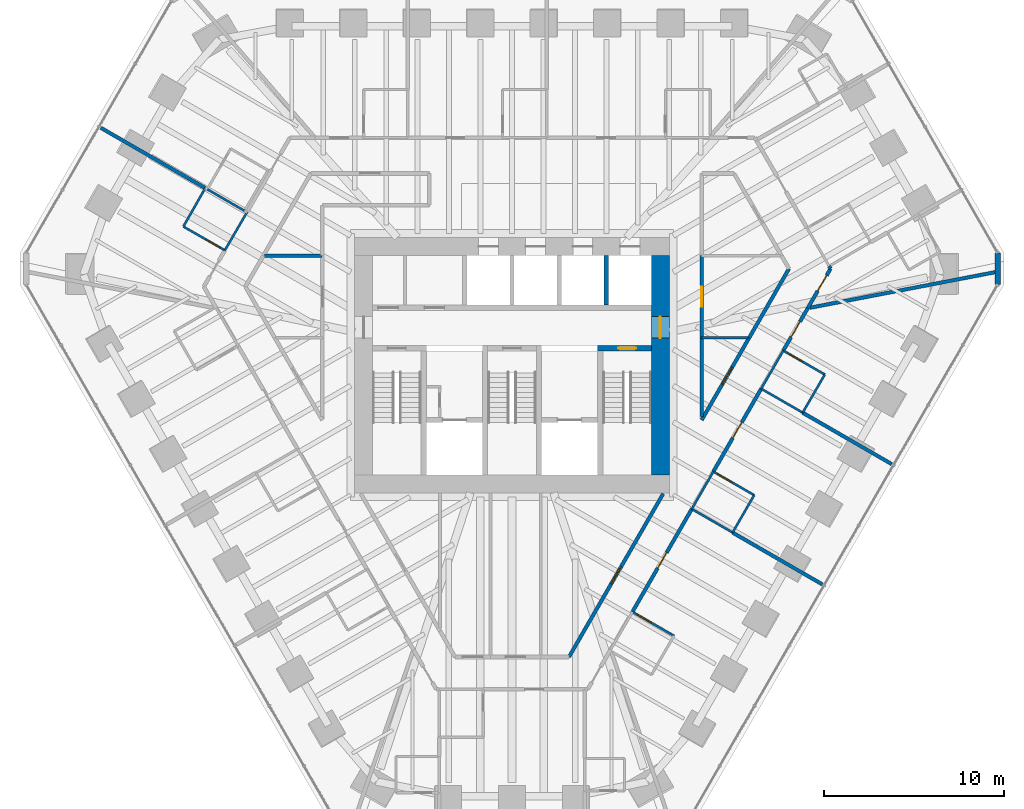
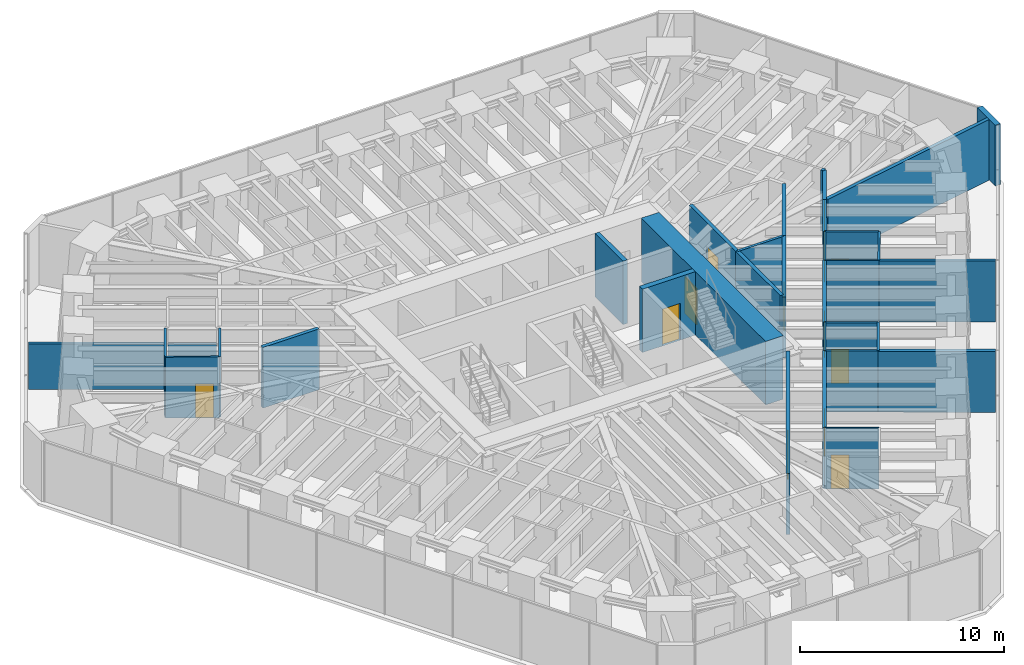
# One storey, part 13 of 16: 33 walls, 13 doors, 13 openings.
"""IFC4 building model written with IfcOpenShell, lengths in metres."""

from ifc_helpers import new_model, si_unit, direction, frame, frame_2d, origin, place, context, subcontext, project, spatial, rectangle, extrude, material, layer, layer_set, type_object, element, fill, save


model = new_model("IFC4")

# Units and contexts
model_context = context("Model", 3, precision=1e-05, world=origin(), true_north=direction((0.0, 1.0)))
body_context = subcontext(model_context, "Body", "Model", "MODEL_VIEW")
ifc_project = project(units=[si_unit("LENGTHUNIT", "METRE"), si_unit("AREAUNIT", "SQUARE_METRE"), si_unit("VOLUMEUNIT", "CUBIC_METRE"), si_unit("PLANEANGLEUNIT", "RADIAN"), si_unit("MASSUNIT", "GRAM", prefix="KILO")], contexts=[model_context])

# Site, building, storey
site_placement = place(None, origin())
site = spatial("IfcSite", under=ifc_project, at=site_placement, CompositionType="ELEMENT")
building_placement = place(site_placement, origin())
building = spatial("IfcBuilding", under=site, at=building_placement, Name="Sandreach Pilgrim Tower", CompositionType="ELEMENT")
storey_placement = place(building_placement, frame((0.0, 0.0, 247.800048828125)))
storey = spatial("IfcBuildingStorey", under=building, at=storey_placement, Name="L62", CompositionType="ELEMENT", Elevation=247.800048828125)

# Wall
ifc_material_1 = material(Name="Gypsum board on steel studs", Category="steel")
ifc_layer_1 = layer(ifc_material_1, 0.14990234375)
ifc_layer_set_1 = layer_set([ifc_layer_1], Name="Back of house wall 150")
wall_type_1 = type_object("IfcWallType", Name="Back of house wall 150", PredefinedType="PARTITIONING", material=ifc_layer_set_1)
wall_1_placement = place(storey_placement, frame((10.550048828125, 1.52001953125, 0.0), z_axis=(0.0, 0.0, 1.0), x_axis=(1.0, 0.0, 0.0)))
element("IfcWall", 1, at=wall_1_placement, inside=storey, type_object=wall_type_1, Name="Back of house wall L62-101", PredefinedType="PARTITIONING", context=body_context, shape_type="SweptSolid", body=[
    extrude(rectangle(XDim=2.5849609375, YDim=0.14990234375, at=frame_2d((1.29248046875, 0.0))), origin(), (0.0, 0.0, 1.0), 3.639892578125),
])

# Wall, opening, door
ifc_material_2 = material(Name="Moisture-resistant gypsum board on steel studs", Category="steel")
ifc_layer_2 = layer(ifc_material_2, 0.1201171875)
ifc_layer_set_2 = layer_set([ifc_layer_2], Name="Bathroom partition 120")
wall_type_2 = type_object("IfcWallType", Name="Bathroom partition 120", PredefinedType="PARTITIONING", material=ifc_layer_set_2)
wall_2_placement = place(storey_placement, frame((-18.280029296875, 7.7099609375, 0.0), z_axis=(0.0, 0.0, 1.0), x_axis=(0.868277022428, -0.496079643125, 0.0)))
wall_2 = element("IfcWall", 2, at=wall_2_placement, inside=storey, type_object=wall_type_2, Name="Bathroom partition L62-005", PredefinedType="PARTITIONING", context=body_context, shape_type="SweptSolid", body=[
    extrude(rectangle(XDim=2.660400390625, YDim=0.1201171875, at=frame_2d((1.330078125, 0.0))), origin(), (0.0, 0.0, 1.0), 3.639892578125),
])
opening_1_placement = place(wall_2_placement, frame((1.46044921875, 0.0, 0.0)))
opening_1 = element("IfcOpeningElement", 3, at=opening_1_placement, cuts=wall_2, Name="Opening D09-16B", PredefinedType="OPENING", context=body_context, shape_type="SweptSolid", body=[
    extrude(rectangle(XDim=0.89990234375, YDim=2.030029296875, at=frame_2d((0.449951171875, 1.01513671875))), frame((0.0, 0.06005859375, 0.0), z_axis=(0.0, -1.0, 0.0), x_axis=(1.0, 0.0, 0.0)), (0.0, 0.0, 1.0), 0.1201171875),
])
ifc_material_3 = material(Name="Timber door, steel frame", Category="steel")
door_type_1 = type_object("IfcDoorType", Name="Bathroom door", OperationType="SINGLE_SWING_LEFT", PredefinedType="DOOR", material=ifc_material_3)
door_1_placement = place(opening_1_placement, origin())
door_1 = element("IfcDoor", 4, at=door_1_placement, inside=storey, type_object=door_type_1, Name="Door 6216B", OperationType="SINGLE_SWING_RIGHT", OverallHeight=2.030029296875, OverallWidth=0.89990234375, PredefinedType="DOOR", context=body_context, shape_type="SweptSolid", body=[
    extrude(rectangle(XDim=0.89990234375, YDim=2.030029296875, at=frame_2d((0.449951171875, 1.01513671875))), frame((0.0, 0.02490234375, 0.0), z_axis=(0.0, -1.0, 0.0), x_axis=(1.0, 0.0, 0.0)), (0.0, 0.0, 1.0), 0.050048828125),
])
fill(opening_1, door_1)

# Walls
wall_3_placement = place(storey_placement, frame((-17.06005859375, 9.85009765625, 0.0), z_axis=(0.0, 0.0, 1.0), x_axis=(-0.495231468673, -0.868761067518, 0.0)))
element("IfcWall", 5, at=wall_3_placement, inside=storey, type_object=wall_type_2, Name="Bathroom partition L62-009", PredefinedType="PARTITIONING", context=body_context, shape_type="SweptSolid", body=[
    extrude(rectangle(XDim=2.46337890625, YDim=0.1201171875, at=frame_2d((1.231689453125, 0.0))), origin(), (0.0, 0.0, 1.0), 3.639892578125),
])
wall_4_placement = place(storey_placement, frame((-16.95166015625, 9.787109375, 0.0), z_axis=(0.0, 0.0, 1.0), x_axis=(0.865015303714, -0.501745477648, 0.0)))
element("IfcWall", 6, at=wall_4_placement, inside=storey, type_object=wall_type_2, Name="Bathroom partition L62-011", PredefinedType="PARTITIONING", context=body_context, shape_type="SweptSolid", body=[
    extrude(rectangle(XDim=2.4013671875, YDim=0.1201171875, at=frame_2d((1.20068359375, 0.0))), origin(), (0.0, 0.0, 1.0), 2.7255859375),
])
wall_5_placement = place(storey_placement, frame((-14.739990234375, 8.510009765625, 0.0), z_axis=(0.0, 0.0, 1.0), x_axis=(-0.501813488763, -0.864975850817, 0.0)))
element("IfcWall", 7, at=wall_5_placement, inside=storey, type_object=wall_type_2, Name="Bathroom partition L62-021", PredefinedType="PARTITIONING", context=body_context, shape_type="SweptSolid", body=[
    extrude(rectangle(XDim=2.451171875, YDim=0.1201171875, at=frame_2d((1.2255859375, 0.0))), origin(), (0.0, 0.0, 1.0), 3.639892578125),
])

# Wall, opening, door
wall_6_placement = place(storey_placement, frame((9.010009765625, -15.050048828125, 0.0), z_axis=(0.0, 0.0, 1.0), x_axis=(-0.866615255992, 0.498976951453, 0.0)))
wall_6 = element("IfcWall", 8, at=wall_6_placement, inside=storey, type_object=wall_type_2, Name="Bathroom partition L62-096", PredefinedType="PARTITIONING", context=body_context, shape_type="SweptSolid", body=[
    extrude(rectangle(XDim=2.66552734375, YDim=0.1201171875, at=frame_2d((1.332763671875, 0.0))), origin(), (0.0, 0.0, 1.0), 3.639892578125),
])
opening_2_placement = place(wall_6_placement, frame((1.465576171875, 0.0, 0.0)))
opening_2 = element("IfcOpeningElement", 9, at=opening_2_placement, cuts=wall_6, Name="Opening D09-09B", PredefinedType="OPENING", context=body_context, shape_type="SweptSolid", body=[
    extrude(rectangle(XDim=0.89990234375, YDim=2.030029296875, at=frame_2d((0.449951171875, 1.01513671875))), frame((0.0, 0.06005859375, 0.0), z_axis=(0.0, -1.0, 0.0), x_axis=(1.0, 0.0, 0.0)), (0.0, 0.0, 1.0), 0.1201171875),
])
door_2_placement = place(opening_2_placement, origin())
door_2 = element("IfcDoor", 10, at=door_2_placement, inside=storey, type_object=door_type_1, Name="Door 6209B", OperationType="SINGLE_SWING_RIGHT", OverallHeight=2.030029296875, OverallWidth=0.89990234375, PredefinedType="DOOR", context=body_context, shape_type="SweptSolid", body=[
    extrude(rectangle(XDim=0.89990234375, YDim=2.030029296875, at=frame_2d((0.449951171875, 1.01513671875))), frame((0.0, 0.02490234375, 0.0), z_axis=(0.0, -1.0, 0.0), x_axis=(1.0, 0.0, 0.0)), (0.0, 0.0, 1.0), 0.050048828125),
])
fill(opening_2, door_2)

# Walls
wall_7_placement = place(storey_placement, frame((10.0, -8.0, 0.0), z_axis=(0.0, 0.0, 1.0), x_axis=(0.499693115345, 0.866202511239, 0.0)))
element("IfcWall", 11, at=wall_7_placement, inside=storey, type_object=wall_type_2, Name="Bathroom partition L62-097", PredefinedType="PARTITIONING", context=body_context, shape_type="SweptSolid", body=[
    extrude(rectangle(XDim=2.4013671875, YDim=0.1201171875, at=frame_2d((1.20068359375, 0.0))), origin(), (0.0, 0.0, 1.0), 3.639892578125),
])
wall_8_placement = place(storey_placement, frame((10.0, -8.0, 0.0), z_axis=(0.0, 0.0, 1.0), x_axis=(0.866010296064, -0.500026166427, 0.0)))
element("IfcWall", 12, at=wall_8_placement, inside=storey, type_object=wall_type_2, Name="Bathroom partition L62-098", PredefinedType="PARTITIONING", context=body_context, shape_type="SweptSolid", body=[
    extrude(rectangle(XDim=2.620849609375, YDim=0.1201171875, at=frame_2d((1.310546875, 0.0))), origin(), (0.0, 0.0, 1.0), 3.639892578125),
])
wall_9_placement = place(storey_placement, frame((12.27001953125, -9.31005859375, 0.0), z_axis=(0.0, 0.0, 1.0), x_axis=(0.499693115345, 0.866202511239, 0.0)))
element("IfcWall", 13, at=wall_9_placement, inside=storey, type_object=wall_type_2, Name="Bathroom partition L62-110", PredefinedType="PARTITIONING", context=body_context, shape_type="SweptSolid", body=[
    extrude(rectangle(XDim=2.4013671875, YDim=0.1201171875, at=frame_2d((1.20068359375, 0.0))), origin(), (0.0, 0.0, 1.0), 3.639892578125),
])

# Wall, opening, door
wall_10_placement = place(storey_placement, frame((13.469970703125, -7.22998046875, 0.0), z_axis=(0.0, 0.0, 1.0), x_axis=(-0.866114241029, 0.499846097802, 0.0)))
wall_10 = element("IfcWall", 14, at=wall_10_placement, inside=storey, type_object=wall_type_2, Name="Bathroom partition L62-113", PredefinedType="PARTITIONING", context=body_context, shape_type="SweptSolid", body=[
    extrude(rectangle(XDim=2.620849609375, YDim=0.1201171875, at=frame_2d((1.310546875, 0.0))), origin(), (0.0, 0.0, 1.0), 3.639892578125),
])
opening_3_placement = place(wall_10_placement, frame((1.4208984375, 0.0, 0.0)))
opening_3 = element("IfcOpeningElement", 15, at=opening_3_placement, cuts=wall_10, Name="Opening D09-08B", PredefinedType="OPENING", context=body_context, shape_type="SweptSolid", body=[
    extrude(rectangle(XDim=0.89990234375, YDim=2.030029296875, at=frame_2d((0.449951171875, 1.01513671875))), frame((0.0, 0.06005859375, 0.0), z_axis=(0.0, -1.0, 0.0), x_axis=(1.0, 0.0, 0.0)), (0.0, 0.0, 1.0), 0.1201171875),
])
door_3_placement = place(opening_3_placement, origin())
door_3 = element("IfcDoor", 16, at=door_3_placement, inside=storey, type_object=door_type_1, Name="Door 6208B", OperationType="SINGLE_SWING_RIGHT", OverallHeight=2.030029296875, OverallWidth=0.89990234375, PredefinedType="DOOR", context=body_context, shape_type="SweptSolid", body=[
    extrude(rectangle(XDim=0.89990234375, YDim=2.030029296875, at=frame_2d((0.449951171875, 1.01513671875))), frame((0.0, 0.02490234375, 0.0), z_axis=(0.0, -1.0, 0.0), x_axis=(1.0, 0.0, 0.0)), (0.0, 0.0, 1.0), 0.050048828125),
])
fill(opening_3, door_3)

# Walls
wall_11_placement = place(storey_placement, frame((13.860107421875, -1.31005859375, 0.0), z_axis=(0.0, 0.0, 1.0), x_axis=(0.501813488763, 0.864975850817, 0.0)))
element("IfcWall", 17, at=wall_11_placement, inside=storey, type_object=wall_type_2, Name="Bathroom partition L62-118", PredefinedType="PARTITIONING", context=body_context, shape_type="SweptSolid", body=[
    extrude(rectangle(XDim=2.451171875, YDim=0.1201171875, at=frame_2d((1.2255859375, 0.0))), origin(), (0.0, 0.0, 1.0), 3.639892578125),
])
wall_12_placement = place(storey_placement, frame((16.169921875, -2.639892578125, 0.0), z_axis=(0.0, 0.0, 1.0), x_axis=(-0.86663205897, 0.498947767172, 0.0)))
element("IfcWall", 18, at=wall_12_placement, inside=storey, type_object=wall_type_2, Name="Bathroom partition L62-125", PredefinedType="PARTITIONING", context=body_context, shape_type="SweptSolid", body=[
    extrude(rectangle(XDim=2.665283203125, YDim=0.1201171875, at=frame_2d((1.33251953125, 0.0))), origin(), (0.0, 0.0, 1.0), 3.639892578125),
])
wall_13_placement = place(storey_placement, frame((16.169921875, -2.639892578125, 0.0), z_axis=(0.0, 0.0, 1.0), x_axis=(0.501856726365, 0.86495076519, 0.0)))
element("IfcWall", 19, at=wall_13_placement, inside=storey, type_object=wall_type_2, Name="Bathroom partition L62-126", PredefinedType="PARTITIONING", context=body_context, shape_type="SweptSolid", body=[
    extrude(rectangle(XDim=2.450927734375, YDim=0.1201171875, at=frame_2d((1.2255859375, 0.0))), origin(), (0.0, 0.0, 1.0), 3.639892578125),
])

# Wall, opening, door
wall_14_placement = place(storey_placement, frame((17.39990234375, -0.52001953125, 0.0), z_axis=(0.0, 0.0, 1.0), x_axis=(-0.866592449628, 0.499016559092, 0.0)))
wall_14 = element("IfcWall", 20, at=wall_14_placement, inside=storey, type_object=wall_type_2, Name="Bathroom partition L62-130", PredefinedType="PARTITIONING", context=body_context, shape_type="SweptSolid", body=[
    extrude(rectangle(XDim=2.665283203125, YDim=0.1201171875, at=frame_2d((1.33251953125, 0.0))), origin(), (0.0, 0.0, 1.0), 3.639892578125),
])
opening_4_placement = place(wall_14_placement, frame((1.465576171875, 0.0, 0.0)))
opening_4 = element("IfcOpeningElement", 21, at=opening_4_placement, cuts=wall_14, Name="Opening D09-07B", PredefinedType="OPENING", context=body_context, shape_type="SweptSolid", body=[
    extrude(rectangle(XDim=0.89990234375, YDim=2.030029296875, at=frame_2d((0.449951171875, 1.01513671875))), frame((0.0, 0.06005859375, 0.0), z_axis=(0.0, -1.0, 0.0), x_axis=(1.0, 0.0, 0.0)), (0.0, 0.0, 1.0), 0.1201171875),
])
door_4_placement = place(opening_4_placement, origin())
door_4 = element("IfcDoor", 22, at=door_4_placement, inside=storey, type_object=door_type_1, Name="Door 6207B", OperationType="SINGLE_SWING_RIGHT", OverallHeight=2.030029296875, OverallWidth=0.89990234375, PredefinedType="DOOR", context=body_context, shape_type="SweptSolid", body=[
    extrude(rectangle(XDim=0.89990234375, YDim=2.030029296875, at=frame_2d((0.449951171875, 1.01513671875))), frame((0.0, 0.02490234375, 0.0), z_axis=(0.0, -1.0, 0.0), x_axis=(1.0, 0.0, 0.0)), (0.0, 0.0, 1.0), 0.050048828125),
])
fill(opening_4, door_4)

ifc_material_4 = material(Name="Concrete 10000 psi", Category="concrete")
ifc_layer_3 = layer(ifc_material_4, 0.300048828125)
ifc_layer_set_3 = layer_set([ifc_layer_3], Name="Core inner wall 300")
wall_type_3 = type_object("IfcWallType", Name="Core inner wall 300", PredefinedType="SHEAR", material=ifc_layer_set_3)
wall_15_placement = place(storey_placement, frame((4.75, 0.949951171875, 0.0), z_axis=(0.0, 0.0, 1.0), x_axis=(1.0, 0.0, 0.0)))
wall_15 = element("IfcWall", 23, at=wall_15_placement, inside=storey, type_object=wall_type_3, Name="Core wall SN2 L62", PredefinedType="SHEAR", context=body_context, shape_type="SweptSolid", body=[
    extrude(rectangle(XDim=3.0, YDim=0.300048828125, at=frame_2d((1.5, 0.0))), origin(), (0.0, 0.0, 1.0), 3.800048828125),
])
opening_5_placement = place(wall_15_placement, frame((1.14990234375, 0.0, 0.0)))
opening_5 = element("IfcOpeningElement", 24, at=opening_5_placement, cuts=wall_15, Name="Opening D10S-ST2", PredefinedType="OPENING", context=body_context, shape_type="SweptSolid", body=[
    extrude(rectangle(XDim=1.0, YDim=2.199951171875, at=frame_2d((0.5, 1.10009765625))), frame((0.0, 0.14990234375, 0.0), z_axis=(0.0, -1.0, 0.0), x_axis=(1.0, 0.0, 0.0)), (0.0, 0.0, 1.0), 0.300048828125),
])
ifc_material_5 = material(Name="Steel door and frame", Category="steel")
door_type_2 = type_object("IfcDoorType", Name="Stair door", OperationType="SINGLE_SWING_LEFT", PredefinedType="DOOR", material=ifc_material_5)
door_5_placement = place(opening_5_placement, origin())
door_5 = element("IfcDoor", 25, at=door_5_placement, inside=storey, type_object=door_type_2, Name="Stair door ST2 L62", OperationType="SINGLE_SWING_RIGHT", OverallHeight=2.199951171875, OverallWidth=1.0, PredefinedType="DOOR", context=body_context, shape_type="SweptSolid", body=[
    extrude(rectangle(XDim=1.0, YDim=2.199951171875, at=frame_2d((0.5, 1.10009765625))), frame((0.0, 0.02490234375, 0.0), z_axis=(0.0, -1.0, 0.0), x_axis=(1.0, 0.0, 0.0)), (0.0, 0.0, 1.0), 0.050048828125),
])
fill(opening_5, door_5)

ifc_material_6 = material(Name="Concrete 10000 psi", Category="concrete")
ifc_layer_4 = layer(ifc_material_6, 1.0)
ifc_layer_set_4 = layer_set([ifc_layer_4], Name="Core wall 1000")
wall_type_4 = type_object("IfcWallType", Name="Core wall 1000", PredefinedType="SHEAR", material=ifc_layer_set_4)
wall_16_placement = place(storey_placement, frame((8.25, -6.10009765625, 0.0), z_axis=(0.0, 0.0, 1.0), x_axis=(0.0, 1.0, 0.0)))
wall_16 = element("IfcWall", 26, at=wall_16_placement, inside=storey, type_object=wall_type_4, Name="Core wall E L62", PredefinedType="SHEAR", context=body_context, shape_type="SweptSolid", body=[
    extrude(rectangle(XDim=12.2001953125, YDim=1.0, at=frame_2d((6.10009765625, 0.0))), origin(), (0.0, 0.0, 1.0), 3.800048828125),
])
opening_6_placement = place(wall_16_placement, frame((7.60009765625, 0.0, 0.0)))
opening_6 = element("IfcOpeningElement", 27, at=opening_6_placement, cuts=wall_16, Name="Opening D12F-E", PredefinedType="OPENING", context=body_context, shape_type="SweptSolid", body=[
    extrude(rectangle(XDim=1.199951171875, YDim=2.199951171875, at=frame_2d((0.60009765625, 1.10009765625))), frame((0.0, 0.5, 0.0), z_axis=(0.0, -1.0, 0.0), x_axis=(1.0, 0.0, 0.0)), (0.0, 0.0, 1.0), 1.0),
])
ifc_material_7 = material(Name="Steel door and frame", Category="steel")
door_type_3 = type_object("IfcDoorType", Name="Fire lobby door", OperationType="SINGLE_SWING_LEFT", PredefinedType="DOOR", material=ifc_material_7)
door_6_placement = place(opening_6_placement, origin())
door_6 = element("IfcDoor", 28, at=door_6_placement, inside=storey, type_object=door_type_3, Name="Fire service lobby door E L62", OperationType="SINGLE_SWING_RIGHT", OverallHeight=2.199951171875, OverallWidth=1.199951171875, PredefinedType="DOOR", context=body_context, shape_type="SweptSolid", body=[
    extrude(rectangle(XDim=1.199951171875, YDim=2.199951171875, at=frame_2d((0.60009765625, 1.10009765625))), frame((0.0, 0.02490234375, 0.0), z_axis=(0.0, -1.0, 0.0), x_axis=(1.0, 0.0, 0.0)), (0.0, 0.0, 1.0), 0.050048828125),
])
fill(opening_6, door_6)

ifc_material_8 = material(Name="Gypsum board on steel studs, two layers each side", Category="steel")
ifc_layer_5 = layer(ifc_material_8, 0.199951171875)
ifc_layer_set_5 = layer_set([ifc_layer_5], Name="Corridor wall 200")
wall_type_5 = type_object("IfcWallType", Name="Corridor wall 200", PredefinedType="PARTITIONING", material=ifc_layer_set_5)
wall_17_placement = place(storey_placement, frame((6.699951171875, -13.719970703125, 0.0), z_axis=(0.0, 0.0, 1.0), x_axis=(0.499729921425, 0.866181277581, 0.0)))
wall_17 = element("IfcWall", 29, at=wall_17_placement, inside=storey, type_object=wall_type_5, Name="Corridor wall L62-091", PredefinedType="PARTITIONING", context=body_context, shape_type="SweptSolid", body=[
    extrude(rectangle(XDim=6.603759765625, YDim=0.199951171875, at=frame_2d((3.3017578125, 0.0))), origin(), (0.0, 0.0, 1.0), 3.639892578125),
])
opening_7_placement = place(wall_17_placement, frame((2.8017578125, 0.0, 0.0)))
opening_7 = element("IfcOpeningElement", 30, at=opening_7_placement, cuts=wall_17, Name="Opening D10-09", PredefinedType="OPENING", context=body_context, shape_type="SweptSolid", body=[
    extrude(rectangle(XDim=1.0, YDim=2.1298828125, at=frame_2d((0.5, 1.06494140625))), frame((0.0, 0.10009765625, 0.0), z_axis=(0.0, -1.0, 0.0), x_axis=(1.0, 0.0, 0.0)), (0.0, 0.0, 1.0), 0.199951171875),
])
ifc_material_9 = material(Name="Steel door and frame", Category="steel")
door_type_4 = type_object("IfcDoorType", Name="Guest room entry door", OperationType="SINGLE_SWING_LEFT", PredefinedType="DOOR", material=ifc_material_9)
door_7_placement = place(opening_7_placement, origin())
door_7 = element("IfcDoor", 31, at=door_7_placement, inside=storey, type_object=door_type_4, Name="Door 6209", OperationType="SINGLE_SWING_LEFT", OverallHeight=2.1298828125, OverallWidth=1.0, PredefinedType="DOOR", context=body_context, shape_type="SweptSolid", body=[
    extrude(rectangle(XDim=1.0, YDim=2.1298828125, at=frame_2d((0.5, 1.06494140625))), frame((0.0, 0.02490234375, 0.0), z_axis=(0.0, -1.0, 0.0), x_axis=(1.0, 0.0, 0.0)), (0.0, 0.0, 1.0), 0.050048828125),
])
fill(opening_7, door_7)

wall_18_placement = place(storey_placement, frame((8.409912109375, -7.14990234375, 0.0), z_axis=(0.0, 0.0, 1.0), x_axis=(-0.499828628176, -0.866124322748, 0.0)))
wall_18 = element("IfcWall", 32, at=wall_18_placement, inside=storey, type_object=wall_type_5, Name="Corridor wall L62-093", PredefinedType="PARTITIONING", context=body_context, shape_type="SweptSolid", body=[
    extrude(rectangle(XDim=10.483642578125, YDim=0.199951171875, at=frame_2d((5.24169921875, 0.0))), origin(), (0.0, 0.0, 1.0), 3.639892578125),
])
opening_8_placement = place(wall_18_placement, frame((4.691650390625, 0.0, 0.0)))
opening_8 = element("IfcOpeningElement", 33, at=opening_8_placement, cuts=wall_18, Name="Opening D11H-S4", PredefinedType="OPENING", context=body_context, shape_type="SweptSolid", body=[
    extrude(rectangle(XDim=1.10009765625, YDim=2.199951171875, at=frame_2d((0.550048828125, 1.10009765625))), frame((0.0, 0.10009765625, 0.0), z_axis=(0.0, -1.0, 0.0), x_axis=(1.0, 0.0, 0.0)), (0.0, 0.0, 1.0), 0.199951171875),
])
ifc_material_10 = material(Name="Steel door and frame", Category="steel")
door_type_5 = type_object("IfcDoorType", Name="Back of house door", OperationType="SINGLE_SWING_LEFT", PredefinedType="DOOR", material=ifc_material_10)
door_8_placement = place(opening_8_placement, origin())
door_8 = element("IfcDoor", 34, at=door_8_placement, inside=storey, type_object=door_type_5, Name="Door 62S4", OperationType="SINGLE_SWING_LEFT", OverallHeight=2.199951171875, OverallWidth=1.10009765625, PredefinedType="DOOR", context=body_context, shape_type="SweptSolid", body=[
    extrude(rectangle(XDim=1.10009765625, YDim=2.199951171875, at=frame_2d((0.550048828125, 1.10009765625))), frame((0.0, 0.02490234375, 0.0), z_axis=(0.0, -1.0, 0.0), x_axis=(1.0, 0.0, 0.0)), (0.0, 0.0, 1.0), 0.050048828125),
])
fill(opening_8, door_8)

# Wall
wall_19_placement = place(storey_placement, frame((10.550048828125, -2.85498046875, 0.0), z_axis=(0.0, 0.0, 1.0), x_axis=(0.0, 1.0, 0.0)))
element("IfcWall", 35, at=wall_19_placement, inside=storey, type_object=wall_type_5, Name="Corridor wall L62-099", PredefinedType="PARTITIONING", context=body_context, shape_type="SweptSolid", body=[
    extrude(rectangle(XDim=4.375, YDim=0.199951171875, at=frame_2d((2.1875, 0.0))), origin(), (0.0, 0.0, 1.0), 3.639892578125),
])

# Wall, opening, door
wall_20_placement = place(storey_placement, frame((10.550048828125, 1.52001953125, 0.0), z_axis=(0.0, 0.0, 1.0), x_axis=(0.0, 1.0, 0.0)))
wall_20 = element("IfcWall", 36, at=wall_20_placement, inside=storey, type_object=wall_type_5, Name="Corridor wall L62-100", PredefinedType="PARTITIONING", context=body_context, shape_type="SweptSolid", body=[
    extrude(rectangle(XDim=4.570068359375, YDim=0.199951171875, at=frame_2d((2.28515625, 0.0))), origin(), (0.0, 0.0, 1.0), 3.639892578125),
])
opening_9_placement = place(wall_20_placement, frame((1.735107421875, 0.0, 0.0)))
opening_9 = element("IfcOpeningElement", 37, at=opening_9_placement, cuts=wall_20, Name="Opening D11H-M06", PredefinedType="OPENING", context=body_context, shape_type="SweptSolid", body=[
    extrude(rectangle(XDim=1.10009765625, YDim=2.199951171875, at=frame_2d((0.550048828125, 1.10009765625))), frame((0.0, 0.10009765625, 0.0), z_axis=(0.0, -1.0, 0.0), x_axis=(1.0, 0.0, 0.0)), (0.0, 0.0, 1.0), 0.199951171875),
])
door_9_placement = place(opening_9_placement, origin())
door_9 = element("IfcDoor", 38, at=door_9_placement, inside=storey, type_object=door_type_5, Name="Door 62M06", OperationType="SINGLE_SWING_LEFT", OverallHeight=2.199951171875, OverallWidth=1.10009765625, PredefinedType="DOOR", context=body_context, shape_type="SweptSolid", body=[
    extrude(rectangle(XDim=1.10009765625, YDim=2.199951171875, at=frame_2d((0.550048828125, 1.10009765625))), frame((0.0, 0.02490234375, 0.0), z_axis=(0.0, -1.0, 0.0), x_axis=(1.0, 0.0, 0.0)), (0.0, 0.0, 1.0), 0.050048828125),
])
fill(opening_9, door_9)

wall_21_placement = place(storey_placement, frame((11.199951171875, -5.919921875, 0.0), z_axis=(0.0, 0.0, 1.0), x_axis=(0.499809814479, 0.866135179606, 0.0)))
wall_21 = element("IfcWall", 39, at=wall_21_placement, inside=storey, type_object=wall_type_5, Name="Corridor wall L62-108", PredefinedType="PARTITIONING", context=body_context, shape_type="SweptSolid", body=[
    extrude(rectangle(XDim=5.322265625, YDim=0.199951171875, at=frame_2d((2.6611328125, 0.0))), origin(), (0.0, 0.0, 1.0), 3.639892578125),
])
opening_10_placement = place(wall_21_placement, frame((2.1611328125, 0.0, 0.0)))
opening_10 = element("IfcOpeningElement", 40, at=opening_10_placement, cuts=wall_21, Name="Opening D10-08", PredefinedType="OPENING", context=body_context, shape_type="SweptSolid", body=[
    extrude(rectangle(XDim=1.0, YDim=2.1298828125, at=frame_2d((0.5, 1.06494140625))), frame((0.0, 0.10009765625, 0.0), z_axis=(0.0, -1.0, 0.0), x_axis=(1.0, 0.0, 0.0)), (0.0, 0.0, 1.0), 0.199951171875),
])
door_10_placement = place(opening_10_placement, origin())
door_10 = element("IfcDoor", 41, at=door_10_placement, inside=storey, type_object=door_type_4, Name="Door 6208", OperationType="SINGLE_SWING_LEFT", OverallHeight=2.1298828125, OverallWidth=1.0, PredefinedType="DOOR", context=body_context, shape_type="SweptSolid", body=[
    extrude(rectangle(XDim=1.0, YDim=2.1298828125, at=frame_2d((0.5, 1.06494140625))), frame((0.0, 0.02490234375, 0.0), z_axis=(0.0, -1.0, 0.0), x_axis=(1.0, 0.0, 0.0)), (0.0, 0.0, 1.0), 0.050048828125),
])
fill(opening_10, door_10)

wall_22_placement = place(storey_placement, frame((13.18994140625, 1.52001953125, 0.0), z_axis=(0.0, 0.0, 1.0), x_axis=(-0.500193590286, -0.865913605527, 0.0)))
wall_22 = element("IfcWall", 42, at=wall_22_placement, inside=storey, type_object=wall_type_5, Name="Corridor wall L62-112", PredefinedType="PARTITIONING", context=body_context, shape_type="SweptSolid", body=[
    extrude(rectangle(XDim=5.27783203125, YDim=0.199951171875, at=frame_2d((2.638916015625, 0.0))), origin(), (0.0, 0.0, 1.0), 3.639892578125),
])
opening_11_placement = place(wall_22_placement, frame((1.89990234375, 0.0, 0.0)))
opening_11 = element("IfcOpeningElement", 43, at=opening_11_placement, cuts=wall_22, Name="Opening D11H-M04", PredefinedType="OPENING", context=body_context, shape_type="SweptSolid", body=[
    extrude(rectangle(XDim=1.10009765625, YDim=2.199951171875, at=frame_2d((0.550048828125, 1.10009765625))), frame((0.0, 0.10009765625, 0.0), z_axis=(0.0, -1.0, 0.0), x_axis=(1.0, 0.0, 0.0)), (0.0, 0.0, 1.0), 0.199951171875),
])
door_11_placement = place(opening_11_placement, origin())
door_11 = element("IfcDoor", 44, at=door_11_placement, inside=storey, type_object=door_type_5, Name="Door 62M04", OperationType="SINGLE_SWING_LEFT", OverallHeight=2.199951171875, OverallWidth=1.10009765625, PredefinedType="DOOR", context=body_context, shape_type="SweptSolid", body=[
    extrude(rectangle(XDim=1.10009765625, YDim=2.199951171875, at=frame_2d((0.550048828125, 1.10009765625))), frame((0.0, 0.02490234375, 0.0), z_axis=(0.0, -1.0, 0.0), x_axis=(1.0, 0.0, 0.0)), (0.0, 0.0, 1.0), 0.050048828125),
])
fill(opening_11, door_11)

wall_23_placement = place(storey_placement, frame((15.090087890625, 0.81005859375, 0.0), z_axis=(0.0, 0.0, 1.0), x_axis=(0.499282656393, 0.866439166373, 0.0)))
wall_23 = element("IfcWall", 45, at=wall_23_placement, inside=storey, type_object=wall_type_5, Name="Corridor wall L62-121", PredefinedType="PARTITIONING", context=body_context, shape_type="SweptSolid", body=[
    extrude(rectangle(XDim=2.7236328125, YDim=0.199951171875, at=frame_2d((1.36181640625, 0.0))), origin(), (0.0, 0.0, 1.0), 3.639892578125),
])
opening_12_placement = place(wall_23_placement, frame((0.86181640625, 0.0, 0.0)))
opening_12 = element("IfcOpeningElement", 46, at=opening_12_placement, cuts=wall_23, Name="Opening D10-07", PredefinedType="OPENING", context=body_context, shape_type="SweptSolid", body=[
    extrude(rectangle(XDim=1.0, YDim=2.1298828125, at=frame_2d((0.5, 1.06494140625))), frame((0.0, 0.10009765625, 0.0), z_axis=(0.0, -1.0, 0.0), x_axis=(1.0, 0.0, 0.0)), (0.0, 0.0, 1.0), 0.199951171875),
])
door_12_placement = place(opening_12_placement, origin())
door_12 = element("IfcDoor", 47, at=door_12_placement, inside=storey, type_object=door_type_4, Name="Door 6207", OperationType="SINGLE_SWING_LEFT", OverallHeight=2.1298828125, OverallWidth=1.0, PredefinedType="DOOR", context=body_context, shape_type="SweptSolid", body=[
    extrude(rectangle(XDim=1.0, YDim=2.1298828125, at=frame_2d((0.5, 1.06494140625))), frame((0.0, 0.02490234375, 0.0), z_axis=(0.0, -1.0, 0.0), x_axis=(1.0, 0.0, 0.0)), (0.0, 0.0, 1.0), 0.050048828125),
])
fill(opening_12, door_12)

# Wall
wall_24_placement = place(storey_placement, frame((15.409912109375, 5.3701171875, 0.0), z_axis=(0.0, 0.0, 1.0), x_axis=(-0.499513190454, -0.866306281036, 0.0)))
element("IfcWall", 48, at=wall_24_placement, inside=storey, type_object=wall_type_5, Name="Corridor wall L62-122", PredefinedType="PARTITIONING", context=body_context, shape_type="SweptSolid", body=[
    extrude(rectangle(XDim=4.4443359375, YDim=0.199951171875, at=frame_2d((2.22216796875, 0.0))), origin(), (0.0, 0.0, 1.0), 3.639892578125),
])

# Wall, opening, door
wall_25_placement = place(storey_placement, frame((16.449951171875, 3.169921875, 0.0), z_axis=(0.0, 0.0, 1.0), x_axis=(0.499922110319, 0.866070368743, 0.0)))
wall_25 = element("IfcWall", 49, at=wall_25_placement, inside=storey, type_object=wall_type_5, Name="Corridor wall L62-128", PredefinedType="PARTITIONING", context=body_context, shape_type="SweptSolid", body=[
    extrude(rectangle(XDim=2.54052734375, YDim=0.199951171875, at=frame_2d((1.270263671875, 0.0))), origin(), (0.0, 0.0, 1.0), 3.639892578125),
])
opening_13_placement = place(wall_25_placement, frame((1.10009765625, 0.0, 0.0)))
opening_13 = element("IfcOpeningElement", 50, at=opening_13_placement, cuts=wall_25, Name="Opening D10-06", PredefinedType="OPENING", context=body_context, shape_type="SweptSolid", body=[
    extrude(rectangle(XDim=1.0, YDim=2.1298828125, at=frame_2d((0.5, 1.06494140625))), frame((0.0, 0.10009765625, 0.0), z_axis=(0.0, -1.0, 0.0), x_axis=(1.0, 0.0, 0.0)), (0.0, 0.0, 1.0), 0.199951171875),
])
door_13_placement = place(opening_13_placement, origin())
door_13 = element("IfcDoor", 51, at=door_13_placement, inside=storey, type_object=door_type_4, Name="Door 6206", OperationType="SINGLE_SWING_RIGHT", OverallHeight=2.1298828125, OverallWidth=1.0, PredefinedType="DOOR", context=body_context, shape_type="SweptSolid", body=[
    extrude(rectangle(XDim=1.0, YDim=2.1298828125, at=frame_2d((0.5, 1.06494140625))), frame((0.0, 0.02490234375, 0.0), z_axis=(0.0, -1.0, 0.0), x_axis=(1.0, 0.0, 0.0)), (0.0, 0.0, 1.0), 0.050048828125),
])
fill(opening_13, door_13)

# Walls
wall_26_placement = place(storey_placement, frame((17.719970703125, 5.3701171875, 0.0), z_axis=(0.0, 0.0, 1.0), x_axis=(-0.540386452408, 0.841416948994, 0.0)))
element("IfcWall", 52, at=wall_26_placement, inside=storey, type_object=wall_type_5, Name="Corridor wall L62-133", PredefinedType="PARTITIONING", context=body_context, shape_type="SweptSolid", body=[
    extrude(rectangle(XDim=0.166259765625, YDim=0.199951171875, at=frame_2d((0.0830078125, 0.0))), origin(), (0.0, 0.0, 1.0), 3.639892578125),
])
ifc_material_11 = material(Name="Double steel stud acoustic wall, gypsum board", Category="steel")
ifc_layer_6 = layer(ifc_material_11, 0.199951171875)
ifc_layer_set_6 = layer_set([ifc_layer_6], Name="Party wall 200")
wall_type_6 = type_object("IfcWallType", Name="Party wall 200", PredefinedType="PARTITIONING", material=ifc_layer_set_6)
wall_27_placement = place(storey_placement, frame((-22.865966796875, 13.199951171875, 0.0), z_axis=(0.0, 0.0, 1.0), x_axis=(0.866166787958, -0.499755035431, 0.0)))
element("IfcWall", 53, at=wall_27_placement, inside=storey, type_object=wall_type_6, Name="Party wall L62-002", PredefinedType="PARTITIONING", context=body_context, shape_type="SweptSolid", body=[
    extrude(rectangle(XDim=6.702880859375, YDim=0.199951171875, at=frame_2d((3.3515625, 0.0))), origin(), (0.0, 0.0, 1.0), 2.7255859375),
])
wall_28_placement = place(storey_placement, frame((-13.7548828125, 6.090087890625, 0.0), z_axis=(0.0, 0.0, 1.0), x_axis=(1.0, 0.0, 0.0)))
element("IfcWall", 54, at=wall_28_placement, inside=storey, type_object=wall_type_6, Name="Party wall L62-025", PredefinedType="PARTITIONING", context=body_context, shape_type="SweptSolid", body=[
    extrude(rectangle(XDim=3.19482421875, YDim=0.199951171875, at=frame_2d((1.597412109375, 0.0))), origin(), (0.0, 0.0, 1.0), 3.639892578125),
])
wall_29_placement = place(storey_placement, frame((12.269775390625, -9.310546875, 0.0), z_axis=(0.0, 0.0, 1.0), x_axis=(0.865985044037, -0.500069898618, 0.0)))
element("IfcWall", 55, at=wall_29_placement, inside=storey, type_object=wall_type_6, Name="Party wall L62-109", PredefinedType="PARTITIONING", context=body_context, shape_type="SweptSolid", body=[
    extrude(rectangle(XDim=5.758056640625, YDim=0.199951171875, at=frame_2d((2.87890625, 0.0))), origin(), (0.0, 0.0, 1.0), 3.639892578125),
])
wall_30_placement = place(storey_placement, frame((16.168212890625, -2.642822265625, 0.0), z_axis=(0.0, 0.0, 1.0), x_axis=(0.865980633471, -0.500077536441, 0.0)))
element("IfcWall", 56, at=wall_30_placement, inside=storey, type_object=wall_type_6, Name="Party wall L62-124", PredefinedType="PARTITIONING", context=body_context, shape_type="SweptSolid", body=[
    extrude(rectangle(XDim=5.71337890625, YDim=0.199951171875, at=frame_2d((2.856689453125, 0.0))), origin(), (0.0, 0.0, 1.0), 3.639892578125),
])
wall_31_placement = place(storey_placement, frame((27.04052734375, 5.204345703125, 0.0), z_axis=(0.0, 0.0, 1.0), x_axis=(-0.98204561609, -0.188643600256, 0.0)))
element("IfcWall", 57, at=wall_31_placement, inside=storey, type_object=wall_type_6, Name="Party wall L62-144", PredefinedType="PARTITIONING", context=body_context, shape_type="SweptSolid", body=[
    extrude(rectangle(XDim=10.6640625, YDim=0.199951171875, at=frame_2d((5.33203125, 0.0))), origin(), (0.0, 0.0, 1.0), 3.639892578125),
])
ifc_material_12 = material(Name="Gypsum shaft wall on steel studs, two layers of shaft liner board", Category="steel")
ifc_layer_7 = layer(ifc_material_12, 0.25)
ifc_layer_set_7 = layer_set([ifc_layer_7], Name="Shaft partition 250")
wall_type_7 = type_object("IfcWallType", Name="Shaft partition 250", PredefinedType="PARTITIONING", material=ifc_layer_set_7)
wall_32_placement = place(storey_placement, frame((5.25, 3.35009765625, 0.0), z_axis=(0.0, 0.0, 1.0), x_axis=(0.0, 1.0, 0.0)))
element("IfcWall", 58, at=wall_32_placement, inside=storey, type_object=wall_type_7, Name="Shaft partition NS4 L62", PredefinedType="PARTITIONING", context=body_context, shape_type="SweptSolid", body=[
    extrude(rectangle(XDim=2.75, YDim=0.25, at=frame_2d((1.375, 0.0))), origin(), (0.0, 0.0, 1.0), 3.800048828125),
])
ifc_material_13 = material(Name="Terracotta rainscreen on concrete", Category="masonry")
ifc_layer_8 = layer(ifc_material_13, 0.300048828125)
ifc_layer_set_8 = layer_set([ifc_layer_8], Name="Terracotta chamfer pier")
wall_type_8 = type_object("IfcWallType", Name="Terracotta chamfer pier", PredefinedType="SOLIDWALL", material=ifc_layer_set_8)
wall_33_placement = place(storey_placement, frame((27.02001953125, 6.25, 0.0), z_axis=(0.0, 0.0, 1.0), x_axis=(0.0, -1.0, 0.0)))
element("IfcWall", 59, at=wall_33_placement, inside=storey, type_object=wall_type_8, Name="Chamfer pier L62 NE", PredefinedType="SOLIDWALL", context=body_context, shape_type="SweptSolid", body=[
    extrude(rectangle(XDim=1.77001953125, YDim=0.300048828125, at=frame_2d((0.885009765625, 0.0))), origin(), (0.0, 0.0, 1.0), 3.639892578125),
])

save(model, "model.ifc")
